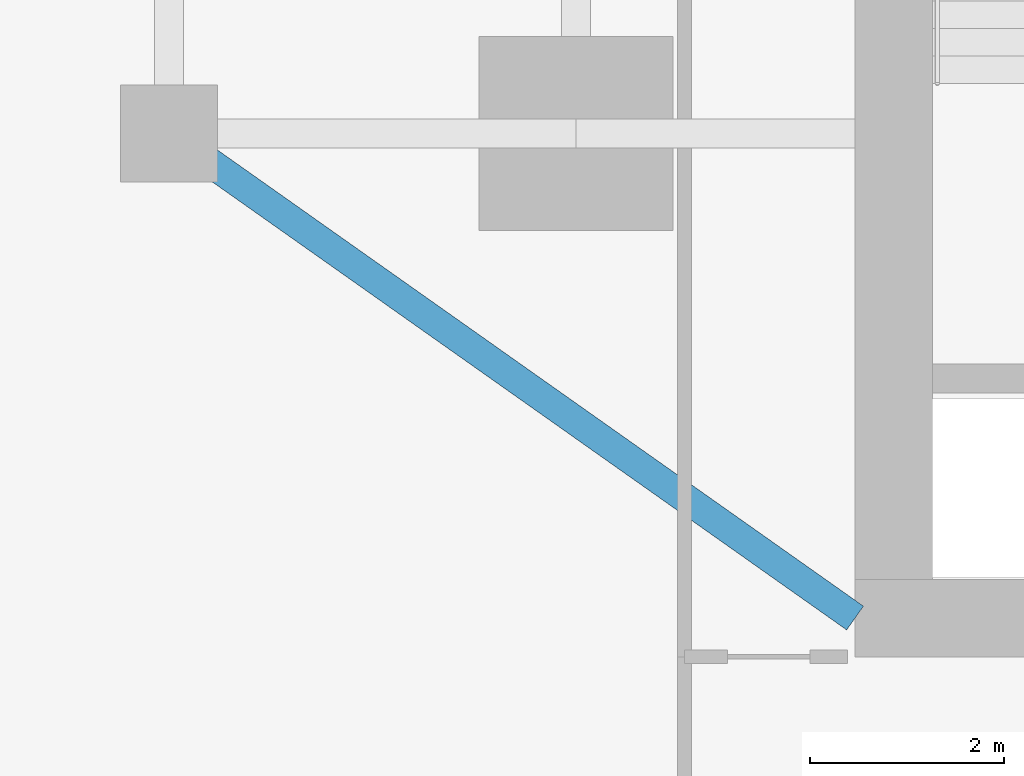
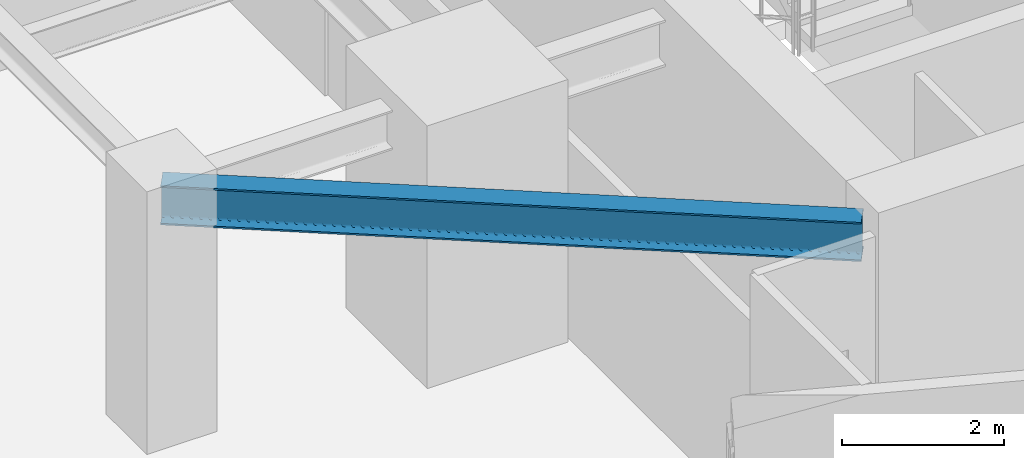
# One storey, part 4 of 26: 1 beam.
"""IFC4 building model written with IfcOpenShell, lengths in metres."""

from ifc_helpers import new_model, si_unit, direction, frame, origin, origin_2d, place, context, subcontext, project, spatial, i_section, extrude, source, transform, mapped, material, material_profile, profile_set, type_object, type_shapes, element, save


model = new_model("IFC4")

# Units and contexts
model_context = context("Model", 3, precision=1e-05, world=origin(), true_north=direction((0.0, 1.0)))
body_context = subcontext(model_context, "Body", "Model", "MODEL_VIEW")
ifc_project = project(units=[si_unit("LENGTHUNIT", "METRE"), si_unit("AREAUNIT", "SQUARE_METRE"), si_unit("VOLUMEUNIT", "CUBIC_METRE"), si_unit("PLANEANGLEUNIT", "RADIAN"), si_unit("MASSUNIT", "GRAM", prefix="KILO")], contexts=[model_context])

# Site, building, storey
site_placement = place(None, origin())
site = spatial("IfcSite", under=ifc_project, at=site_placement, CompositionType="ELEMENT")
building_placement = place(site_placement, origin())
building = spatial("IfcBuilding", under=site, at=building_placement, Name="Krantzveldt Concourse Tower", CompositionType="ELEMENT")
storey_placement = place(building_placement, frame((0.0, 0.0, 129.550048828125)))
storey = spatial("IfcBuildingStorey", under=building, at=storey_placement, Name="L31", CompositionType="ELEMENT", Elevation=129.550048828125)

# Beam
ifc_material = material(Name="Steel S355JR", Category="steel")
ifc_material_profile = material_profile(ifc_material, i_section(OverallWidth=0.300048828125, OverallDepth=0.590087890625, WebThickness=0.012939453125, FlangeThickness=0.02490234375, FilletRadius=0.027099609375, at=origin_2d()), Name="Steel S355JR", Category="steel")
ifc_profile_set = profile_set([ifc_material_profile], Name="Steel S355JR - HEA 600")
beam_type = type_object("IfcBeamType", Name="BM-B-HEA600", PredefinedType="BEAM", material=ifc_profile_set)
shared_shape = source(origin(), body_context, "Body", "SweptSolid", [
    extrude(i_section(OverallWidth=0.300048828125, OverallDepth=0.590087890625, WebThickness=0.012939453125, FlangeThickness=0.02490234375, FilletRadius=0.027099609375, at=origin_2d()), origin(), (0.0, 0.0, 1.0), 8.667724609375),
])
type_shapes(beam_type, [shared_shape])
beam_placement = place(storey_placement, frame((21.0, 15.89990234375, 3.375), z_axis=(0.81684294656, -0.576860122261, 0.0), x_axis=(0.576860122261, 0.81684294656, 0.0)))
element("IfcBeam", 1, at=beam_placement, inside=storey, type_object=beam_type, Name="L31 Tower Girder BR-CSW", PredefinedType="BEAM", context=body_context, shape_type="MappedRepresentation", body=[
    mapped(shared_shape, transform((0.0, 0.0, 0.0), x_axis=(1.0, 0.0, 0.0), y_axis=(0.0, 1.0, 0.0), z_axis=(0.0, 0.0, 1.0), scale=1.0)),
])

save(model, "model.ifc")
